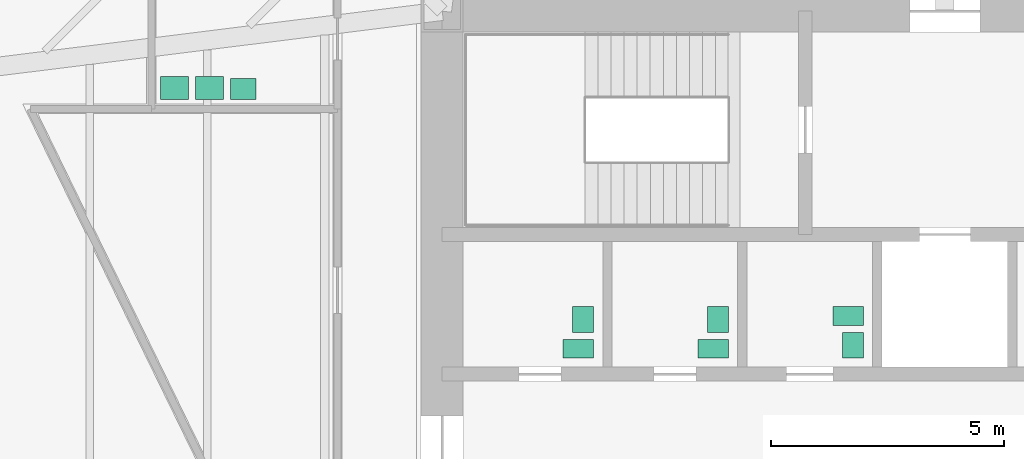
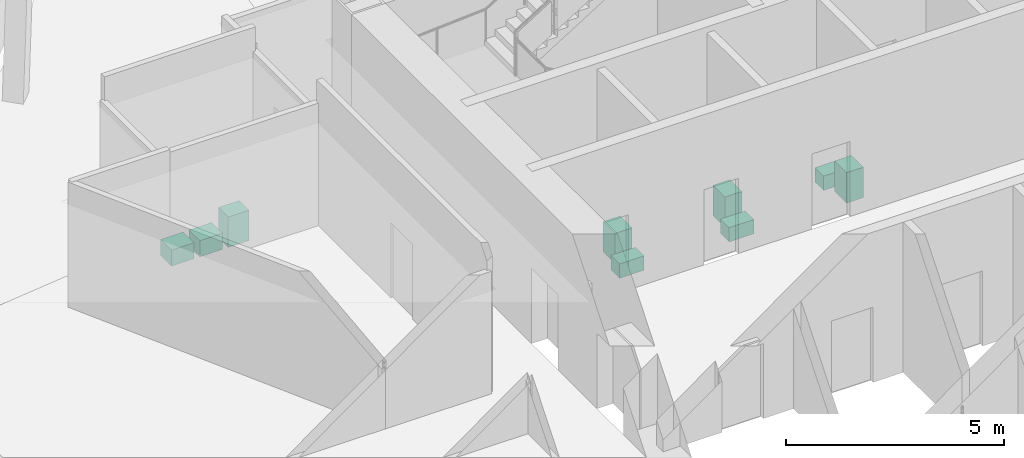
# One storey, part 14 of 14: 9 sanitary terminals.
"""IFC4 building model written with IfcOpenShell, lengths in metres."""

from ifc_helpers import new_model, si_unit, direction, frame, origin, origin_2d, place, context, subcontext, project, spatial, rectangle, extrude, material, type_object, element, save


model = new_model("IFC4")

# Units and contexts
model_context = context("Model", 3, precision=1e-05, world=origin(), true_north=direction((0.0, 1.0)))
body_context = subcontext(model_context, "Body", "Model", "MODEL_VIEW")
ifc_project = project(units=[si_unit("LENGTHUNIT", "METRE"), si_unit("AREAUNIT", "SQUARE_METRE"), si_unit("VOLUMEUNIT", "CUBIC_METRE"), si_unit("PLANEANGLEUNIT", "RADIAN"), si_unit("MASSUNIT", "GRAM", prefix="KILO")], contexts=[model_context])

# Site, building, storey
site_placement = place(None, origin())
site = spatial("IfcSite", under=ifc_project, at=site_placement, CompositionType="ELEMENT")
building_placement = place(site_placement, origin())
building = spatial("IfcBuilding", under=site, at=building_placement, Name="Mashrafa Tower", CompositionType="ELEMENT")
storey_placement = place(building_placement, frame((0.0, 0.0, 134.39990234375)))
storey = spatial("IfcBuildingStorey", under=building, at=storey_placement, Name="L30", CompositionType="ELEMENT", Elevation=134.39990234375)

# Sanitary terminals
ifc_material_1 = material(Name="Stainless steel", Category="steel")
sanitary_terminal_type_1 = type_object("IfcSanitaryTerminalType", Name="Ablution wash station 600 x 500", PredefinedType="WASHHANDBASIN", material=ifc_material_1)
for number, where, z_axis, x_axis, name in (
    (1, (-16.550048828125, 9.14990234375, 0.0), (0.0, 0.0, 1.0), (1.0, 0.0, 0.0), "Ablution wash station Ablution Room L30"),
    (2, (-15.800048828125, 9.14990234375, 0.0), (0.0, 0.0, 1.0), (1.0, 0.0, 0.0), "Ablution wash station Ablution Room L30"),
):
    element("IfcSanitaryTerminal", number, at=place(storey_placement, frame(where, z_axis=z_axis, x_axis=x_axis)), inside=storey, type_object=sanitary_terminal_type_1, Name=name, PredefinedType="WASHHANDBASIN", context=body_context, shape_type="SweptSolid", body=[
        extrude(rectangle(XDim=0.60009765625, YDim=0.5, at=origin_2d()), origin(), (0.0, 0.0, 1.0), 0.449951171875),
    ])
ifc_material_2 = material(Name="Vitreous china")
sanitary_terminal_type_2 = type_object("IfcSanitaryTerminalType", Name="Toilet pan 400 x 650", PredefinedType="TOILETPAN", material=ifc_material_2)
for number, where, z_axis, x_axis, name in (
    (3, (-7.875, 3.550048828125, 0.000244140625), (0.0, 0.0, 1.0), (0.0, 1.0, 0.0), "Toilet pan WC Male L30"),
    (4, (-4.97509765625, 3.550048828125, 0.000244140625), (0.0, 0.0, 1.0), (0.0, 1.0, 0.0), "Toilet pan WC Female L30"),
    (5, (-2.074951171875, 4.25, 0.000244140625), (0.0, 0.0, 1.0), (0.0, 1.0, 0.0), "Toilet pan Accessible WC L30"),
):
    element("IfcSanitaryTerminal", number, at=place(storey_placement, frame(where, z_axis=z_axis, x_axis=x_axis)), inside=storey, type_object=sanitary_terminal_type_2, Name=name, PredefinedType="TOILETPAN", context=body_context, shape_type="SweptSolid", body=[
        extrude(rectangle(XDim=0.39990234375, YDim=0.64990234375, at=origin_2d()), origin(), (0.0, 0.0, 1.0), 0.39990234375),
    ])
ifc_material_3 = material(Name="Vitreous china")
sanitary_terminal_type_3 = type_object("IfcSanitaryTerminalType", Name="Wash basin 550 x 450", PredefinedType="WASHHANDBASIN", material=ifc_material_3)
for number, where, z_axis, x_axis, name in (
    (6, (-7.77490234375, 4.175048828125, 0.0), (0.0, 0.0, 1.0), (0.0, 1.0, 0.0), "Wash basin WC Male L30"),
    (7, (-4.875, 4.175048828125, 0.0), (0.0, 0.0, 1.0), (0.0, 1.0, 0.0), "Wash basin WC Female L30"),
    (8, (-1.97509765625, 3.625, 0.0), (0.0, 0.0, 1.0), (0.0, 1.0, 0.0), "Wash basin Accessible WC L30"),
    (9, (-15.074951171875, 9.125, 0.0), (0.0, 0.0, 1.0), (1.0, 0.0, 0.0), "Wash basin Ablution Room L30"),
):
    element("IfcSanitaryTerminal", number, at=place(storey_placement, frame(where, z_axis=z_axis, x_axis=x_axis)), inside=storey, type_object=sanitary_terminal_type_3, Name=name, PredefinedType="WASHHANDBASIN", context=body_context, shape_type="SweptSolid", body=[
        extrude(rectangle(XDim=0.550048828125, YDim=0.449951171875, at=origin_2d()), origin(), (0.0, 0.0, 1.0), 0.85009765625),
    ])

save(model, "model.ifc")
